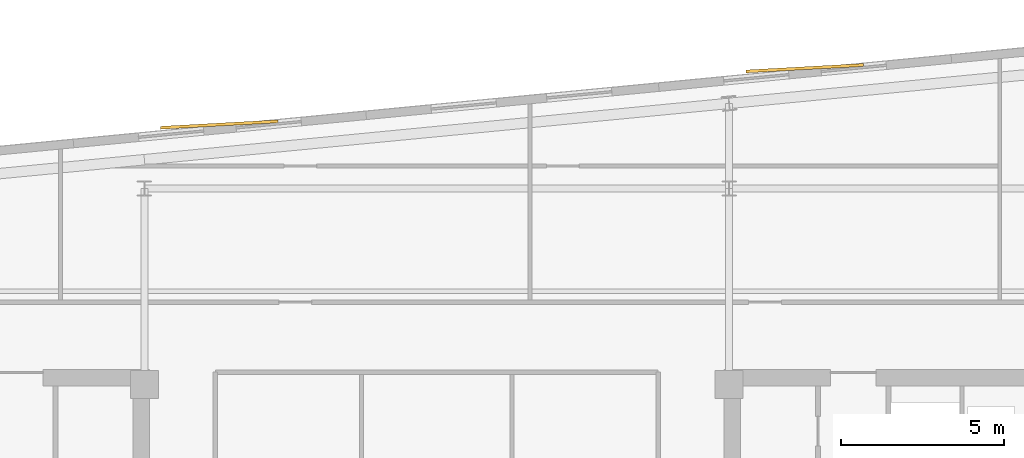
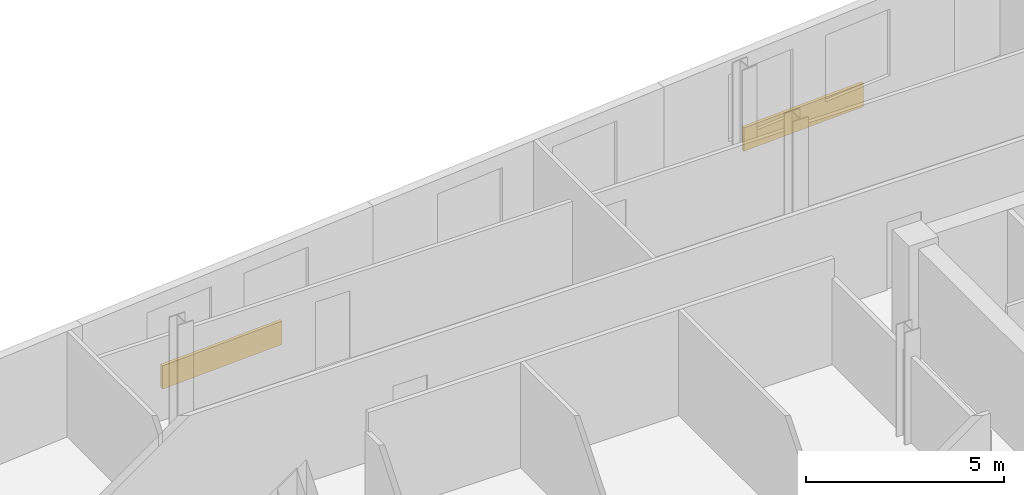
# One storey, part 9 of 9: 2 coverings.
"""IFC4 building model written with IfcOpenShell, lengths in metres."""

from ifc_helpers import new_model, si_unit, direction, frame, origin, origin_2d, place, context, subcontext, project, spatial, rectangle, extrude, material, layer, layer_set, type_object, element, save


model = new_model("IFC4")

# Units and contexts
model_context = context("Model", 3, precision=1e-05, world=origin(), true_north=direction((0.0, 1.0)))
body_context = subcontext(model_context, "Body", "Model", "MODEL_VIEW")
ifc_project = project(units=[si_unit("LENGTHUNIT", "METRE"), si_unit("AREAUNIT", "SQUARE_METRE"), si_unit("VOLUMEUNIT", "CUBIC_METRE"), si_unit("PLANEANGLEUNIT", "RADIAN"), si_unit("MASSUNIT", "GRAM", prefix="KILO")], contexts=[model_context])

# Site, building, storey
site_placement = place(None, origin())
site = spatial("IfcSite", under=ifc_project, at=site_placement, CompositionType="ELEMENT")
building_placement = place(site_placement, origin())
building = spatial("IfcBuilding", under=site, at=building_placement, Name="Velakula Bourse", CompositionType="ELEMENT")
storey_placement = place(building_placement, frame((0.0, 0.0, 275.85009765625)))
storey = spatial("IfcBuildingStorey", under=building, at=storey_placement, Name="L75", CompositionType="ELEMENT", Elevation=275.85009765625)

# Coverings
ifc_material = material(Name="Buff kilned clay facing brick masonry", Category="masonry")
ifc_layer = layer(ifc_material, 0.074951171875, Name="Buff kilned clay facing brick masonry", Category="masonry")
ifc_layer_set = layer_set([ifc_layer], Name="Buff kilned clay facing brick masonry")
covering_type = type_object("IfcCoveringType", Name="COV-BRK-SPN-75", PredefinedType="CLADDING", material=ifc_layer_set)
for number, where, z_axis, x_axis, name in (
    (1, (-6.655029296875, 16.555908203125, 0.0), (0.0, 0.0, 1.0), (0.998489097451, 0.054950179912, 0.0), "L75 Folded Brick Facade Cladding Panel N-B2"),
    (2, (11.26220703125, 18.281005859375, 0.0), (0.0, 0.0, 1.0), (0.998489097451, 0.054950179912, 0.0), "L75 Folded Brick Facade Cladding Panel N-B4"),
):
    element("IfcCovering", number, at=place(storey_placement, frame(where, z_axis=z_axis, x_axis=x_axis)), inside=storey, type_object=covering_type, Name=name, PredefinedType="CLADDING", context=body_context, shape_type="SweptSolid", body=[
        extrude(rectangle(XDim=3.60009765625, YDim=0.090087890625, at=origin_2d()), origin(), (0.0, 0.0, 1.0), 0.719970703125),
    ])

save(model, "model.ifc")
